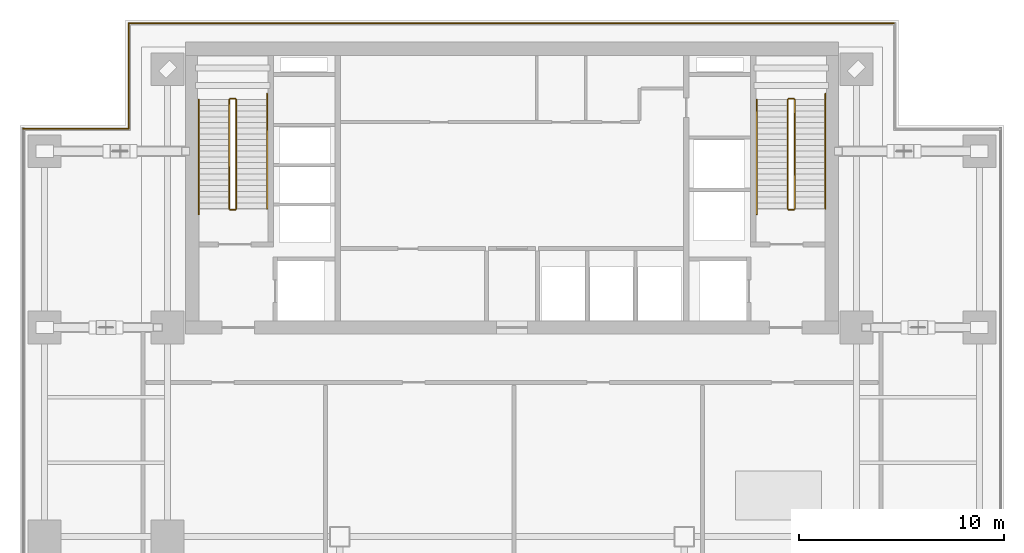
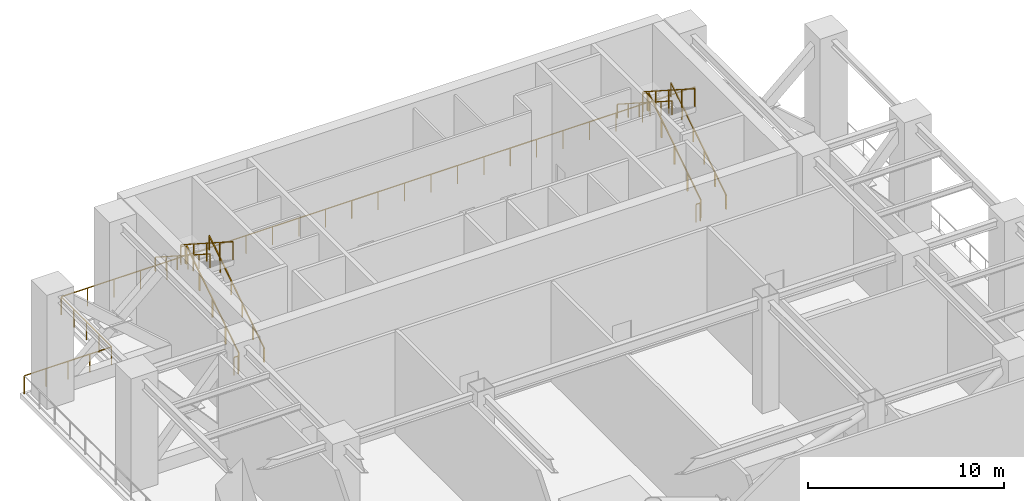
# One storey, part 6 of 8: 15 railings.
"""IFC4 building model written with IfcOpenShell, lengths in metres."""

from ifc_helpers import new_model, si_unit, direction, frame, origin, origin_2d, place, context, subcontext, project, spatial, rectangle, extrude, material, type_object, element, save


model = new_model("IFC4")

# Units and contexts
model_context = context("Model", 3, precision=1e-05, world=origin(), true_north=direction((0.0, 1.0)))
body_context = subcontext(model_context, "Body", "Model", "MODEL_VIEW")
ifc_project = project(units=[si_unit("LENGTHUNIT", "METRE"), si_unit("AREAUNIT", "SQUARE_METRE"), si_unit("VOLUMEUNIT", "CUBIC_METRE"), si_unit("PLANEANGLEUNIT", "RADIAN"), si_unit("MASSUNIT", "GRAM", prefix="KILO")], contexts=[model_context])

# Site, building, storey
site_placement = place(None, origin())
site = spatial("IfcSite", under=ifc_project, at=site_placement, CompositionType="ELEMENT")
building_placement = place(site_placement, origin())
building = spatial("IfcBuilding", under=site, at=building_placement, Name="Sumidabori Civic Tower", CompositionType="ELEMENT")
storey_placement = place(building_placement, frame((0.0, 0.0, 189.199951171875)))
storey = spatial("IfcBuildingStorey", under=building, at=storey_placement, Name="L49", CompositionType="ELEMENT", Elevation=189.199951171875)

# Railings
ifc_material_1 = material(Name="Anodised Bronze Aluminium AW-6063-T6", Category="aluminium")
railing_type_1 = type_object("IfcRailingType", Name="RL-BAL-1150", PredefinedType="BALUSTRADE", material=ifc_material_1)
railing_1_placement = place(storey_placement, frame((-23.840087890625, 19.889892578125, 0.0)))
element("IfcRailing", 1, at=railing_1_placement, inside=storey, type_object=railing_type_1, Name="Wind-Slot Refuge Portal Safety Guard L49-04", PredefinedType="BALUSTRADE", context=body_context, shape_type="SweptSolid", body=[
    extrude(rectangle(XDim=0.048095703125, YDim=0.048095703125, at=origin_2d()), frame((0.0, 0.0, 1.1259765625), z_axis=(1.0, 0.0, 0.0), x_axis=(0.0, 1.0, 0.0)), (0.0, 0.0, 1.0), 5.150146484375),
    extrude(rectangle(XDim=0.0419921875, YDim=0.0419921875, at=origin_2d()), origin(), (0.0, 0.0, 1.0), 1.101806640625),
    extrude(rectangle(XDim=0.0419921875, YDim=0.0419921875, at=origin_2d()), frame((1.28759765625, 0.0, 0.0)), (0.0, 0.0, 1.0), 1.101806640625),
    extrude(rectangle(XDim=0.0419921875, YDim=0.0419921875, at=origin_2d()), frame((2.5751953125, 0.0, 0.0)), (0.0, 0.0, 1.0), 1.101806640625),
    extrude(rectangle(XDim=0.0419921875, YDim=0.0419921875, at=origin_2d()), frame((3.862548828125, 0.0, 0.0)), (0.0, 0.0, 1.0), 1.101806640625),
    extrude(rectangle(XDim=0.0419921875, YDim=0.0419921875, at=origin_2d()), frame((5.150146484375, 0.0, 0.0)), (0.0, 0.0, 1.0), 1.101806640625),
])
railing_2_placement = place(storey_placement, frame((-18.68994140625, 19.889892578125, 0.0)))
element("IfcRailing", 2, at=railing_2_placement, inside=storey, type_object=railing_type_1, Name="Wind-Slot Refuge Portal Safety Guard L49-05", PredefinedType="BALUSTRADE", context=body_context, shape_type="SweptSolid", body=[
    extrude(rectangle(XDim=0.048095703125, YDim=0.048095703125, at=origin_2d()), frame((0.0, 0.0, 1.1259765625), z_axis=(0.0, 1.0, 0.0), x_axis=(-1.0, 0.0, 0.0)), (0.0, 0.0, 1.0), 5.150146484375),
    extrude(rectangle(XDim=0.0419921875, YDim=0.0419921875, at=origin_2d()), origin(), (0.0, 0.0, 1.0), 1.101806640625),
    extrude(rectangle(XDim=0.0419921875, YDim=0.0419921875, at=origin_2d()), frame((0.0, 1.28759765625, 0.0)), (0.0, 0.0, 1.0), 1.101806640625),
    extrude(rectangle(XDim=0.0419921875, YDim=0.0419921875, at=origin_2d()), frame((0.0, 2.5751953125, 0.0)), (0.0, 0.0, 1.0), 1.101806640625),
    extrude(rectangle(XDim=0.0419921875, YDim=0.0419921875, at=origin_2d()), frame((0.0, 3.862548828125, 0.0)), (0.0, 0.0, 1.0), 1.101806640625),
    extrude(rectangle(XDim=0.0419921875, YDim=0.0419921875, at=origin_2d()), frame((0.0, 5.150146484375, 0.0)), (0.0, 0.0, 1.0), 1.101806640625),
])
railing_3_placement = place(storey_placement, frame((-18.68994140625, 25.0400390625, 0.0)))
element("IfcRailing", 3, at=railing_3_placement, inside=storey, type_object=railing_type_1, Name="Wind-Slot Refuge Portal Safety Guard L49-06", PredefinedType="BALUSTRADE", context=body_context, shape_type="SweptSolid", body=[
    extrude(rectangle(XDim=0.048095703125, YDim=0.048095703125, at=origin_2d()), frame((0.0, 0.0, 1.1259765625), z_axis=(1.0, 0.0, 0.0), x_axis=(0.0, 1.0, 0.0)), (0.0, 0.0, 1.0), 37.3798828125),
    extrude(rectangle(XDim=0.0419921875, YDim=0.0419921875, at=origin_2d()), origin(), (0.0, 0.0, 1.0), 1.101806640625),
    extrude(rectangle(XDim=0.0419921875, YDim=0.0419921875, at=origin_2d()), frame((1.5576171875, 0.0, 0.0)), (0.0, 0.0, 1.0), 1.101806640625),
    extrude(rectangle(XDim=0.0419921875, YDim=0.0419921875, at=origin_2d()), frame((3.114990234375, 0.0, 0.0)), (0.0, 0.0, 1.0), 1.101806640625),
    extrude(rectangle(XDim=0.0419921875, YDim=0.0419921875, at=origin_2d()), frame((4.67236328125, 0.0, 0.0)), (0.0, 0.0, 1.0), 1.101806640625),
    extrude(rectangle(XDim=0.0419921875, YDim=0.0419921875, at=origin_2d()), frame((6.22998046875, 0.0, 0.0)), (0.0, 0.0, 1.0), 1.101806640625),
    extrude(rectangle(XDim=0.0419921875, YDim=0.0419921875, at=origin_2d()), frame((7.78759765625, 0.0, 0.0)), (0.0, 0.0, 1.0), 1.101806640625),
    extrude(rectangle(XDim=0.0419921875, YDim=0.0419921875, at=origin_2d()), frame((9.344970703125, 0.0, 0.0)), (0.0, 0.0, 1.0), 1.101806640625),
    extrude(rectangle(XDim=0.0419921875, YDim=0.0419921875, at=origin_2d()), frame((10.90234375, 0.0, 0.0)), (0.0, 0.0, 1.0), 1.101806640625),
    extrude(rectangle(XDim=0.0419921875, YDim=0.0419921875, at=origin_2d()), frame((12.4599609375, 0.0, 0.0)), (0.0, 0.0, 1.0), 1.101806640625),
    extrude(rectangle(XDim=0.0419921875, YDim=0.0419921875, at=origin_2d()), frame((14.017578125, 0.0, 0.0)), (0.0, 0.0, 1.0), 1.101806640625),
    extrude(rectangle(XDim=0.0419921875, YDim=0.0419921875, at=origin_2d()), frame((15.574951171875, 0.0, 0.0)), (0.0, 0.0, 1.0), 1.101806640625),
    extrude(rectangle(XDim=0.0419921875, YDim=0.0419921875, at=origin_2d()), frame((17.13232421875, 0.0, 0.0)), (0.0, 0.0, 1.0), 1.101806640625),
    extrude(rectangle(XDim=0.0419921875, YDim=0.0419921875, at=origin_2d()), frame((18.68994140625, 0.0, 0.0)), (0.0, 0.0, 1.0), 1.101806640625),
    extrude(rectangle(XDim=0.0419921875, YDim=0.0419921875, at=origin_2d()), frame((20.24755859375, 0.0, 0.0)), (0.0, 0.0, 1.0), 1.101806640625),
    extrude(rectangle(XDim=0.0419921875, YDim=0.0419921875, at=origin_2d()), frame((21.804931640625, 0.0, 0.0)), (0.0, 0.0, 1.0), 1.101806640625),
    extrude(rectangle(XDim=0.0419921875, YDim=0.0419921875, at=origin_2d()), frame((23.3623046875, 0.0, 0.0)), (0.0, 0.0, 1.0), 1.101806640625),
    extrude(rectangle(XDim=0.0419921875, YDim=0.0419921875, at=origin_2d()), frame((24.919921875, 0.0, 0.0)), (0.0, 0.0, 1.0), 1.101806640625),
    extrude(rectangle(XDim=0.0419921875, YDim=0.0419921875, at=origin_2d()), frame((26.4775390625, 0.0, 0.0)), (0.0, 0.0, 1.0), 1.101806640625),
    extrude(rectangle(XDim=0.0419921875, YDim=0.0419921875, at=origin_2d()), frame((28.034912109375, 0.0, 0.0)), (0.0, 0.0, 1.0), 1.101806640625),
    extrude(rectangle(XDim=0.0419921875, YDim=0.0419921875, at=origin_2d()), frame((29.59228515625, 0.0, 0.0)), (0.0, 0.0, 1.0), 1.101806640625),
    extrude(rectangle(XDim=0.0419921875, YDim=0.0419921875, at=origin_2d()), frame((31.14990234375, 0.0, 0.0)), (0.0, 0.0, 1.0), 1.101806640625),
    extrude(rectangle(XDim=0.0419921875, YDim=0.0419921875, at=origin_2d()), frame((32.70751953125, 0.0, 0.0)), (0.0, 0.0, 1.0), 1.101806640625),
    extrude(rectangle(XDim=0.0419921875, YDim=0.0419921875, at=origin_2d()), frame((34.264892578125, 0.0, 0.0)), (0.0, 0.0, 1.0), 1.101806640625),
    extrude(rectangle(XDim=0.0419921875, YDim=0.0419921875, at=origin_2d()), frame((35.822265625, 0.0, 0.0)), (0.0, 0.0, 1.0), 1.101806640625),
    extrude(rectangle(XDim=0.0419921875, YDim=0.0419921875, at=origin_2d()), frame((37.3798828125, 0.0, 0.0)), (0.0, 0.0, 1.0), 1.101806640625),
])
ifc_material_2 = material(Name="Stainless Steel Hairline Finish", Category="steel")
railing_type_2 = type_object("IfcRailingType", Name="RL-HANDRAIL", PredefinedType="HANDRAIL", material=ifc_material_2)
railing_4_placement = place(storey_placement, frame((-11.949951171875, 16.0, 0.179931640625)))
element("IfcRailing", 4, at=railing_4_placement, inside=storey, type_object=railing_type_2, Name="L49 ST-1 stair handrail 1", PredefinedType="HANDRAIL", context=body_context, shape_type="SweptSolid", body=[
    extrude(rectangle(XDim=0.048095703125, YDim=0.048095703125, at=origin_2d()), frame((0.0, 0.0, 0.8759765625), z_axis=(0.0, 0.840909177553, 0.541176269903), x_axis=(-1.0, 0.0, 0.0)), (0.0, 0.0, 1.0), 6.65966796875),
    extrude(rectangle(XDim=0.0419921875, YDim=0.0419921875, at=origin_2d()), origin(), (0.0, 0.0, 1.0), 0.851806640625),
    extrude(rectangle(XDim=0.0419921875, YDim=0.0419921875, at=origin_2d()), frame((0.0, 1.1201171875, 0.720703125)), (0.0, 0.0, 1.0), 0.851806640625),
    extrude(rectangle(XDim=0.0419921875, YDim=0.0419921875, at=origin_2d()), frame((0.0, 2.239990234375, 1.441650390625)), (0.0, 0.0, 1.0), 0.851806640625),
    extrude(rectangle(XDim=0.0419921875, YDim=0.0419921875, at=origin_2d()), frame((0.0, 3.360107421875, 2.162353515625)), (0.0, 0.0, 1.0), 0.851806640625),
    extrude(rectangle(XDim=0.0419921875, YDim=0.0419921875, at=origin_2d()), frame((0.0, 4.47998046875, 2.88330078125)), (0.0, 0.0, 1.0), 0.851806640625),
    extrude(rectangle(XDim=0.0419921875, YDim=0.0419921875, at=origin_2d()), frame((0.0, 5.60009765625, 3.60400390625)), (0.0, 0.0, 1.0), 0.851806640625),
])
railing_5_placement = place(storey_placement, frame((-15.2900390625, 21.320068359375, 3.780029296875)))
element("IfcRailing", 5, at=railing_5_placement, inside=storey, type_object=railing_type_2, Name="L49 ST-1 stair handrail 2", PredefinedType="HANDRAIL", context=body_context, shape_type="SweptSolid", body=[
    extrude(rectangle(XDim=0.048095703125, YDim=0.048095703125, at=origin_2d()), frame((0.0, 0.0, 0.8759765625), z_axis=(0.0, -0.840925860763, 0.541150345746), x_axis=(1.0, 0.0, 0.0)), (0.0, 0.0, 1.0), 6.659423828125),
    extrude(rectangle(XDim=0.0419921875, YDim=0.0419921875, at=origin_2d()), origin(), (0.0, 0.0, 1.0), 0.851806640625),
    extrude(rectangle(XDim=0.0419921875, YDim=0.0419921875, at=origin_2d()), frame((0.0, -1.1201171875, 0.720703125)), (0.0, 0.0, 1.0), 0.851806640625),
    extrude(rectangle(XDim=0.0419921875, YDim=0.0419921875, at=origin_2d()), frame((0.0, -2.239990234375, 1.44140625)), (0.0, 0.0, 1.0), 0.851806640625),
    extrude(rectangle(XDim=0.0419921875, YDim=0.0419921875, at=origin_2d()), frame((0.0, -3.360107421875, 2.162353515625)), (0.0, 0.0, 1.0), 0.851806640625),
    extrude(rectangle(XDim=0.0419921875, YDim=0.0419921875, at=origin_2d()), frame((0.0, -4.47998046875, 2.883056640625)), (0.0, 0.0, 1.0), 0.851806640625),
    extrude(rectangle(XDim=0.0419921875, YDim=0.0419921875, at=origin_2d()), frame((0.0, -5.60009765625, 3.603759765625)), (0.0, 0.0, 1.0), 0.851806640625),
])
railing_6_placement = place(storey_placement, frame((15.2900390625, 16.0, 0.179931640625)))
element("IfcRailing", 6, at=railing_6_placement, inside=storey, type_object=railing_type_2, Name="L49 ST-2 stair handrail 1", PredefinedType="HANDRAIL", context=body_context, shape_type="SweptSolid", body=[
    extrude(rectangle(XDim=0.048095703125, YDim=0.048095703125, at=origin_2d()), frame((0.0, 0.0, 0.8759765625), z_axis=(0.0, 0.840909177553, 0.541176269903), x_axis=(-1.0, 0.0, 0.0)), (0.0, 0.0, 1.0), 6.65966796875),
    extrude(rectangle(XDim=0.0419921875, YDim=0.0419921875, at=origin_2d()), origin(), (0.0, 0.0, 1.0), 0.851806640625),
    extrude(rectangle(XDim=0.0419921875, YDim=0.0419921875, at=origin_2d()), frame((0.0, 1.1201171875, 0.720703125)), (0.0, 0.0, 1.0), 0.851806640625),
    extrude(rectangle(XDim=0.0419921875, YDim=0.0419921875, at=origin_2d()), frame((0.0, 2.239990234375, 1.441650390625)), (0.0, 0.0, 1.0), 0.851806640625),
    extrude(rectangle(XDim=0.0419921875, YDim=0.0419921875, at=origin_2d()), frame((0.0, 3.360107421875, 2.162353515625)), (0.0, 0.0, 1.0), 0.851806640625),
    extrude(rectangle(XDim=0.0419921875, YDim=0.0419921875, at=origin_2d()), frame((0.0, 4.47998046875, 2.88330078125)), (0.0, 0.0, 1.0), 0.851806640625),
    extrude(rectangle(XDim=0.0419921875, YDim=0.0419921875, at=origin_2d()), frame((0.0, 5.60009765625, 3.60400390625)), (0.0, 0.0, 1.0), 0.851806640625),
])
railing_7_placement = place(storey_placement, frame((11.949951171875, 21.320068359375, 3.780029296875)))
element("IfcRailing", 7, at=railing_7_placement, inside=storey, type_object=railing_type_2, Name="L49 ST-2 stair handrail 2", PredefinedType="HANDRAIL", context=body_context, shape_type="SweptSolid", body=[
    extrude(rectangle(XDim=0.048095703125, YDim=0.048095703125, at=origin_2d()), frame((0.0, 0.0, 0.8759765625), z_axis=(0.0, -0.840925860763, 0.541150345746), x_axis=(1.0, 0.0, 0.0)), (0.0, 0.0, 1.0), 6.659423828125),
    extrude(rectangle(XDim=0.0419921875, YDim=0.0419921875, at=origin_2d()), origin(), (0.0, 0.0, 1.0), 0.851806640625),
    extrude(rectangle(XDim=0.0419921875, YDim=0.0419921875, at=origin_2d()), frame((0.0, -1.1201171875, 0.720703125)), (0.0, 0.0, 1.0), 0.851806640625),
    extrude(rectangle(XDim=0.0419921875, YDim=0.0419921875, at=origin_2d()), frame((0.0, -2.239990234375, 1.44140625)), (0.0, 0.0, 1.0), 0.851806640625),
    extrude(rectangle(XDim=0.0419921875, YDim=0.0419921875, at=origin_2d()), frame((0.0, -3.360107421875, 2.162353515625)), (0.0, 0.0, 1.0), 0.851806640625),
    extrude(rectangle(XDim=0.0419921875, YDim=0.0419921875, at=origin_2d()), frame((0.0, -4.47998046875, 2.883056640625)), (0.0, 0.0, 1.0), 0.851806640625),
    extrude(rectangle(XDim=0.0419921875, YDim=0.0419921875, at=origin_2d()), frame((0.0, -5.60009765625, 3.603759765625)), (0.0, 0.0, 1.0), 0.851806640625),
])
ifc_material_3 = material(Name="Steel SN490", Category="steel")
railing_type_3 = type_object("IfcRailingType", Name="RL-STAIR-GUARD", PredefinedType="GUARDRAIL", material=ifc_material_3)
railing_8_placement = place(storey_placement, frame((-13.449951171875, 16.0, 0.179931640625)))
element("IfcRailing", 8, at=railing_8_placement, inside=storey, type_object=railing_type_3, Name="L49 ST-1 stair guard 1", PredefinedType="GUARDRAIL", context=body_context, shape_type="SweptSolid", body=[
    extrude(rectangle(XDim=0.048095703125, YDim=0.048095703125, at=origin_2d()), frame((0.0, 0.0, 1.1259765625), z_axis=(0.0, 0.841169695817, 0.540771248162), x_axis=(-1.0, 0.0, 0.0)), (0.0, 0.0, 1.0), 6.32470703125),
    extrude(rectangle(XDim=0.0419921875, YDim=0.0419921875, at=origin_2d()), origin(), (0.0, 0.0, 1.0), 1.101806640625),
    extrude(rectangle(XDim=0.0419921875, YDim=0.0419921875, at=origin_2d()), frame((0.0, 1.330078125, 0.85498046875)), (0.0, 0.0, 1.0), 1.101806640625),
    extrude(rectangle(XDim=0.0419921875, YDim=0.0419921875, at=origin_2d()), frame((0.0, 2.66015625, 1.7099609375)), (0.0, 0.0, 1.0), 1.101806640625),
    extrude(rectangle(XDim=0.0419921875, YDim=0.0419921875, at=origin_2d()), frame((0.0, 3.989990234375, 2.565185546875)), (0.0, 0.0, 1.0), 1.101806640625),
    extrude(rectangle(XDim=0.0419921875, YDim=0.0419921875, at=origin_2d()), frame((0.0, 5.320068359375, 3.420166015625)), (0.0, 0.0, 1.0), 1.101806640625),
])
railing_9_placement = place(storey_placement, frame((-13.5, 21.3701171875, 3.60009765625)))
element("IfcRailing", 9, at=railing_9_placement, inside=storey, type_object=railing_type_3, Name="L49 ST-1 stair guard 2", PredefinedType="GUARDRAIL", context=body_context, shape_type="SweptSolid", body=[
    extrude(rectangle(XDim=0.048095703125, YDim=0.048095703125, at=origin_2d()), frame((0.0, 0.0, 1.1259765625), z_axis=(-1.0, 0.0, 0.0), x_axis=(0.0, -1.0, 0.0)), (0.0, 0.0, 1.0), 0.239990234375),
    extrude(rectangle(XDim=0.0419921875, YDim=0.0419921875, at=origin_2d()), origin(), (0.0, 0.0, 1.0), 1.101806640625),
    extrude(rectangle(XDim=0.0419921875, YDim=0.0419921875, at=origin_2d()), frame((-0.239990234375, 0.0, 0.0)), (0.0, 0.0, 1.0), 1.101806640625),
])
railing_10_placement = place(storey_placement, frame((-13.7900390625, 21.320068359375, 3.780029296875)))
element("IfcRailing", 10, at=railing_10_placement, inside=storey, type_object=railing_type_3, Name="L49 ST-1 stair guard 3", PredefinedType="GUARDRAIL", context=body_context, shape_type="SweptSolid", body=[
    extrude(rectangle(XDim=0.048095703125, YDim=0.048095703125, at=origin_2d()), frame((0.0, 0.0, 1.1259765625), z_axis=(0.0, -0.841187254898, 0.540743934037), x_axis=(1.0, 0.0, 0.0)), (0.0, 0.0, 1.0), 6.324462890625),
    extrude(rectangle(XDim=0.0419921875, YDim=0.0419921875, at=origin_2d()), origin(), (0.0, 0.0, 1.0), 1.101806640625),
    extrude(rectangle(XDim=0.0419921875, YDim=0.0419921875, at=origin_2d()), frame((0.0, -1.330078125, 0.85498046875)), (0.0, 0.0, 1.0), 1.101806640625),
    extrude(rectangle(XDim=0.0419921875, YDim=0.0419921875, at=origin_2d()), frame((0.0, -2.66015625, 1.7099609375)), (0.0, 0.0, 1.0), 1.101806640625),
    extrude(rectangle(XDim=0.0419921875, YDim=0.0419921875, at=origin_2d()), frame((0.0, -3.989990234375, 2.56494140625)), (0.0, 0.0, 1.0), 1.101806640625),
    extrude(rectangle(XDim=0.0419921875, YDim=0.0419921875, at=origin_2d()), frame((0.0, -5.320068359375, 3.419921875)), (0.0, 0.0, 1.0), 1.101806640625),
])
railing_11_placement = place(storey_placement, frame((-13.5, 15.949951171875, 0.0)))
element("IfcRailing", 11, at=railing_11_placement, inside=storey, type_object=railing_type_3, Name="L49 ST-1 stair guard 4", PredefinedType="GUARDRAIL", context=body_context, shape_type="SweptSolid", body=[
    extrude(rectangle(XDim=0.048095703125, YDim=0.048095703125, at=origin_2d()), frame((0.0, 0.0, 1.1259765625), z_axis=(-1.0, 0.0, 0.0), x_axis=(0.0, -1.0, 0.0)), (0.0, 0.0, 1.0), 0.239990234375),
    extrude(rectangle(XDim=0.0419921875, YDim=0.0419921875, at=origin_2d()), origin(), (0.0, 0.0, 1.0), 1.101806640625),
    extrude(rectangle(XDim=0.0419921875, YDim=0.0419921875, at=origin_2d()), frame((-0.239990234375, 0.0, 0.0)), (0.0, 0.0, 1.0), 1.101806640625),
])
railing_12_placement = place(storey_placement, frame((13.7900390625, 16.0, 0.179931640625)))
element("IfcRailing", 12, at=railing_12_placement, inside=storey, type_object=railing_type_3, Name="L49 ST-2 stair guard 1", PredefinedType="GUARDRAIL", context=body_context, shape_type="SweptSolid", body=[
    extrude(rectangle(XDim=0.048095703125, YDim=0.048095703125, at=origin_2d()), frame((0.0, 0.0, 1.1259765625), z_axis=(0.0, 0.841169695817, 0.540771248162), x_axis=(-1.0, 0.0, 0.0)), (0.0, 0.0, 1.0), 6.32470703125),
    extrude(rectangle(XDim=0.0419921875, YDim=0.0419921875, at=origin_2d()), origin(), (0.0, 0.0, 1.0), 1.101806640625),
    extrude(rectangle(XDim=0.0419921875, YDim=0.0419921875, at=origin_2d()), frame((0.0, 1.330078125, 0.85498046875)), (0.0, 0.0, 1.0), 1.101806640625),
    extrude(rectangle(XDim=0.0419921875, YDim=0.0419921875, at=origin_2d()), frame((0.0, 2.66015625, 1.7099609375)), (0.0, 0.0, 1.0), 1.101806640625),
    extrude(rectangle(XDim=0.0419921875, YDim=0.0419921875, at=origin_2d()), frame((0.0, 3.989990234375, 2.565185546875)), (0.0, 0.0, 1.0), 1.101806640625),
    extrude(rectangle(XDim=0.0419921875, YDim=0.0419921875, at=origin_2d()), frame((0.0, 5.320068359375, 3.420166015625)), (0.0, 0.0, 1.0), 1.101806640625),
])
railing_13_placement = place(storey_placement, frame((13.739990234375, 21.3701171875, 3.60009765625)))
element("IfcRailing", 13, at=railing_13_placement, inside=storey, type_object=railing_type_3, Name="L49 ST-2 stair guard 2", PredefinedType="GUARDRAIL", context=body_context, shape_type="SweptSolid", body=[
    extrude(rectangle(XDim=0.048095703125, YDim=0.048095703125, at=origin_2d()), frame((0.0, 0.0, 1.1259765625), z_axis=(-1.0, 0.0, 0.0), x_axis=(0.0, -1.0, 0.0)), (0.0, 0.0, 1.0), 0.239990234375),
    extrude(rectangle(XDim=0.0419921875, YDim=0.0419921875, at=origin_2d()), origin(), (0.0, 0.0, 1.0), 1.101806640625),
    extrude(rectangle(XDim=0.0419921875, YDim=0.0419921875, at=origin_2d()), frame((-0.239990234375, 0.0, 0.0)), (0.0, 0.0, 1.0), 1.101806640625),
])
railing_14_placement = place(storey_placement, frame((13.449951171875, 21.320068359375, 3.780029296875)))
element("IfcRailing", 14, at=railing_14_placement, inside=storey, type_object=railing_type_3, Name="L49 ST-2 stair guard 3", PredefinedType="GUARDRAIL", context=body_context, shape_type="SweptSolid", body=[
    extrude(rectangle(XDim=0.048095703125, YDim=0.048095703125, at=origin_2d()), frame((0.0, 0.0, 1.1259765625), z_axis=(0.0, -0.841187254898, 0.540743934037), x_axis=(1.0, 0.0, 0.0)), (0.0, 0.0, 1.0), 6.324462890625),
    extrude(rectangle(XDim=0.0419921875, YDim=0.0419921875, at=origin_2d()), origin(), (0.0, 0.0, 1.0), 1.101806640625),
    extrude(rectangle(XDim=0.0419921875, YDim=0.0419921875, at=origin_2d()), frame((0.0, -1.330078125, 0.85498046875)), (0.0, 0.0, 1.0), 1.101806640625),
    extrude(rectangle(XDim=0.0419921875, YDim=0.0419921875, at=origin_2d()), frame((0.0, -2.66015625, 1.7099609375)), (0.0, 0.0, 1.0), 1.101806640625),
    extrude(rectangle(XDim=0.0419921875, YDim=0.0419921875, at=origin_2d()), frame((0.0, -3.989990234375, 2.56494140625)), (0.0, 0.0, 1.0), 1.101806640625),
    extrude(rectangle(XDim=0.0419921875, YDim=0.0419921875, at=origin_2d()), frame((0.0, -5.320068359375, 3.419921875)), (0.0, 0.0, 1.0), 1.101806640625),
])
railing_15_placement = place(storey_placement, frame((13.739990234375, 15.949951171875, 0.0)))
element("IfcRailing", 15, at=railing_15_placement, inside=storey, type_object=railing_type_3, Name="L49 ST-2 stair guard 4", PredefinedType="GUARDRAIL", context=body_context, shape_type="SweptSolid", body=[
    extrude(rectangle(XDim=0.048095703125, YDim=0.048095703125, at=origin_2d()), frame((0.0, 0.0, 1.1259765625), z_axis=(-1.0, 0.0, 0.0), x_axis=(0.0, -1.0, 0.0)), (0.0, 0.0, 1.0), 0.239990234375),
    extrude(rectangle(XDim=0.0419921875, YDim=0.0419921875, at=origin_2d()), origin(), (0.0, 0.0, 1.0), 1.101806640625),
    extrude(rectangle(XDim=0.0419921875, YDim=0.0419921875, at=origin_2d()), frame((-0.239990234375, 0.0, 0.0)), (0.0, 0.0, 1.0), 1.101806640625),
])

save(model, "model.ifc")
